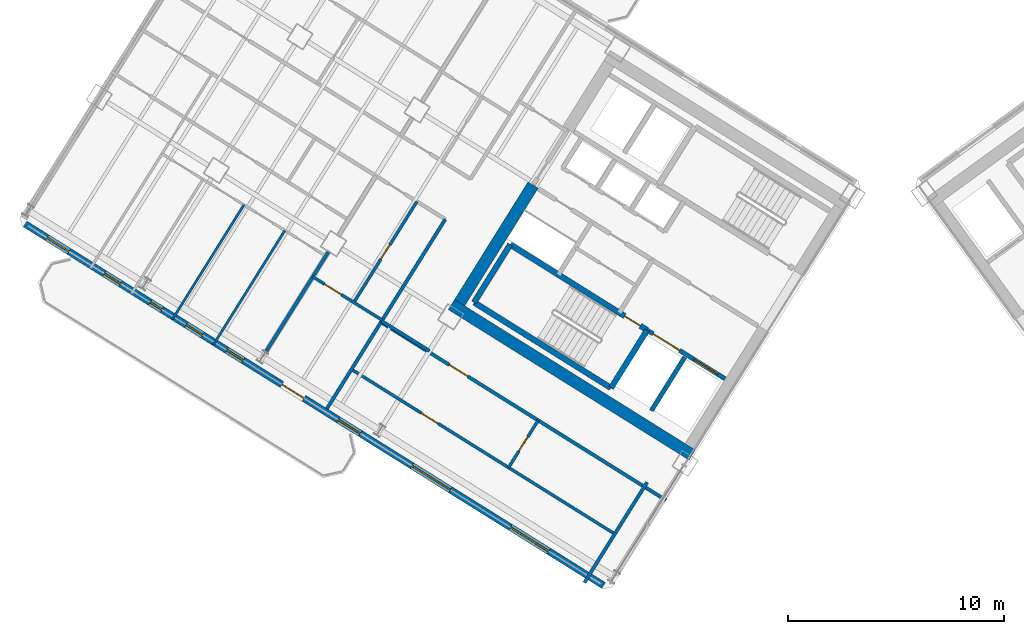
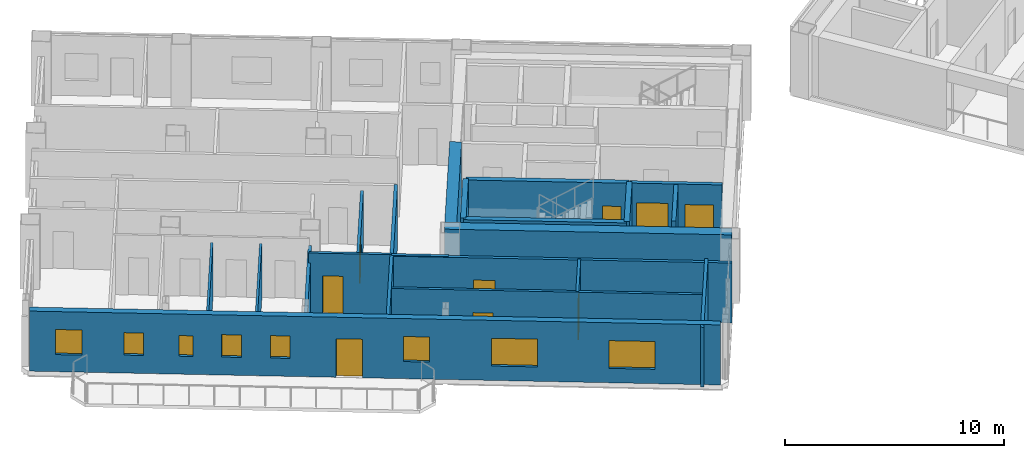
# One storey, part 10 of 19: 20 walls, 9 doors, 8 windows, 17 openings.
"""IFC4 building model written with IfcOpenShell, lengths in metres."""

from ifc_helpers import new_model, si_unit, direction, frame, frame_2d, origin, place, context, subcontext, project, spatial, rectangle, extrude, source, transform, mapped, material, layer, layer_set, type_object, element, fill, save


model = new_model("IFC4")

# Units and contexts
model_context = context("Model", 3, precision=1e-05, world=origin(), true_north=direction((0.0, 1.0)))
body_context = subcontext(model_context, "Body", "Model", "MODEL_VIEW")
ifc_project = project(units=[si_unit("LENGTHUNIT", "METRE"), si_unit("AREAUNIT", "SQUARE_METRE"), si_unit("VOLUMEUNIT", "CUBIC_METRE"), si_unit("PLANEANGLEUNIT", "RADIAN"), si_unit("MASSUNIT", "GRAM", prefix="KILO")], contexts=[model_context])

# Site, building, storey
site_placement = place(None, origin())
site = spatial("IfcSite", under=ifc_project, at=site_placement, CompositionType="ELEMENT")
building_placement = place(site_placement, origin())
building = spatial("IfcBuilding", under=site, at=building_placement, Name="Tlacorven Tower", CompositionType="ELEMENT")
storey_placement = place(building_placement, frame((0.0, 0.0, 144.300048828125)))
storey = spatial("IfcBuildingStorey", under=building, at=storey_placement, Name="L36", CompositionType="ELEMENT", Elevation=144.300048828125)

# Walls
ifc_material_1 = material(Name="Concrete C60/75", Category="concrete")
ifc_layer_1 = layer(ifc_material_1, 0.550048828125)
ifc_layer_set_1 = layer_set([ifc_layer_1], Name="Concrete C60/75")
wall_type_1 = type_object("IfcWallType", Name="WL-COR-550", PredefinedType="SHEAR", material=ifc_layer_set_1)
wall_1_placement = place(storey_placement, frame((33.3662109375, 12.4765625, 0.0), z_axis=(0.0, 0.0, 1.0), x_axis=(-0.848047359947, 0.529920442413, 0.0)))
element("IfcWall", 1, at=wall_1_placement, inside=storey, type_object=wall_type_1, Name="L36 W core shear wall S2", PredefinedType="SHEAR", context=body_context, shape_type="SweptSolid", body=[
    extrude(rectangle(XDim=13.139892578125, YDim=0.550048828125, at=frame_2d((6.56982421875, 0.0))), origin(), (0.0, 0.0, 1.0), 3.349853515625),
])
wall_2_placement = place(storey_placement, frame((26.006591796875, 24.975830078125, 0.0), z_axis=(0.0, 0.0, 1.0), x_axis=(-0.529923795287, -0.848045264823, 0.0)))
element("IfcWall", 2, at=wall_2_placement, inside=storey, type_object=wall_type_1, Name="L36 W core end wall E2.2", PredefinedType="SHEAR", context=body_context, shape_type="SweptSolid", body=[
    extrude(rectangle(XDim=6.425048828125, YDim=0.550048828125, at=frame_2d((3.21240234375, 0.0))), origin(), (0.0, 0.0, 1.0), 3.349853515625),
])
ifc_material_2 = material(Name="Gypsum plasterboard acoustic partition", Category="gypsum")
ifc_layer_2 = layer(ifc_material_2, 0.159912109375)
ifc_layer_set_2 = layer_set([ifc_layer_2], Name="Gypsum plasterboard acoustic partition")
wall_type_2 = type_object("IfcWallType", Name="WL-DEM-160", PredefinedType="PARTITIONING", material=ifc_layer_set_2)
wall_3_placement = place(storey_placement, frame((21.20556640625, 17.29248046875, 0.0), z_axis=(0.0, 0.0, 1.0), x_axis=(-0.848050851465, 0.529914854792, 0.0)))
element("IfcWall", 3, at=wall_3_placement, inside=storey, type_object=wall_type_2, Name="L36 partition 47", PredefinedType="PARTITIONING", context=body_context, shape_type="SweptSolid", body=[
    extrude(rectangle(XDim=2.60986328125, YDim=0.159912109375, at=frame_2d((1.304931640625, 0.0))), origin(), (0.0, 0.0, 1.0), 3.33984375),
])
wall_4_placement = place(storey_placement, frame((21.9384765625, 23.390625, 0.0), z_axis=(0.0, 0.0, 1.0), x_axis=(-0.529924725692, -0.848044683434, 0.0)))
element("IfcWall", 4, at=wall_4_placement, inside=storey, type_object=wall_type_2, Name="L36 partition 49", PredefinedType="PARTITIONING", context=body_context, shape_type="SweptSolid", body=[
    extrude(rectangle(XDim=10.349853515625, YDim=0.159912109375, at=frame_2d((5.1748046875, 0.0))), origin(), (0.0, 0.0, 1.0), 3.33984375),
])
wall_5_placement = place(storey_placement, frame((16.518798828125, 21.86962890625, 0.0), z_axis=(0.0, 0.0, 1.0), x_axis=(-0.529922447305, -0.848046107144, 0.0)))
element("IfcWall", 5, at=wall_5_placement, inside=storey, type_object=wall_type_2, Name="L36 WN Demising Wall 1", PredefinedType="PARTITIONING", context=body_context, shape_type="SweptSolid", body=[
    extrude(rectangle(XDim=5.451171875, YDim=0.159912109375, at=frame_2d((2.7255859375, 0.0))), origin(), (0.0, 0.0, 1.0), 2.77490234375),
])

# Wall, opening, door
wall_6_placement = place(storey_placement, frame((32.164306640625, 10.373779296875, 0.0), z_axis=(0.0, 0.0, 1.0), x_axis=(-0.848044107957, 0.529925646633, 0.0)))
wall_6 = element("IfcWall", 6, at=wall_6_placement, inside=storey, type_object=wall_type_2, Name="L36 partition 71", PredefinedType="PARTITIONING", context=body_context, shape_type="SweptSolid", body=[
    extrude(rectangle(XDim=15.570068359375, YDim=0.159912109375, at=frame_2d((7.78515625, 0.0))), origin(), (0.0, 0.0, 1.0), 3.33984375),
])
opening_1_placement = place(wall_6_placement, frame((10.830078125, 0.0, 0.0)))
opening_1 = element("IfcOpeningElement", 7, at=opening_1_placement, cuts=wall_6, Name="Opening D11", PredefinedType="OPENING", context=body_context, shape_type="SweptSolid", body=[
    extrude(rectangle(XDim=1.0, YDim=2.10009765625, at=frame_2d((0.5, 1.050048828125))), frame((0.0, 0.08984375, 0.0), z_axis=(0.0, -1.0, 0.0), x_axis=(1.0, 0.0, 0.0)), (0.0, 0.0, 1.0), 0.179931640625),
])
ifc_material_3 = material(Name="Fire-rated steel door assembly", Category="steel")
door_type_1 = type_object("IfcDoorType", Name="DR-FLT-FD60-1000", OperationType="NOTDEFINED", PredefinedType="DOOR", material=ifc_material_3)
shared_shape_1 = source(origin(), body_context, "Body", "SweptSolid", [
    extrude(rectangle(XDim=1.0, YDim=2.10009765625, at=frame_2d((0.5, 1.050048828125))), frame((0.0, 0.02490234375, 0.0), z_axis=(0.0, -1.0, 0.0), x_axis=(1.0, 0.0, 0.0)), (0.0, 0.0, 1.0), 0.050048828125),
])
door_1_placement = place(opening_1_placement, origin())
door_1 = element("IfcDoor", 8, at=door_1_placement, inside=storey, type_object=door_type_1, Name="L36 door 045", OperationType="SINGLE_SWING_RIGHT", OverallHeight=2.10009765625, OverallWidth=1.0, PredefinedType="DOOR", context=body_context, shape_type="MappedRepresentation", body=[
    mapped(shared_shape_1, transform((0.0, 0.0, 0.0), scale=1.0)),
])
fill(opening_1, door_1)

# Wall
wall_7_placement = place(storey_placement, frame((31.282470703125, 11.2080078125, 0.0), z_axis=(0.0, 0.0, 1.0), x_axis=(-0.529938869374, -0.84803584519, 0.0)))
element("IfcWall", 9, at=wall_7_placement, inside=storey, type_object=wall_type_2, Name="L36 WC West Throat Wall", PredefinedType="PARTITIONING", context=body_context, shape_type="SweptSolid", body=[
    extrude(rectangle(XDim=5.47998046875, YDim=0.159912109375, at=frame_2d((2.739990234375, 0.0))), origin(), (0.0, 0.0, 1.0), 3.33984375),
])

# Wall, openings, door, windows
ifc_material_4 = material(Name="Precast concrete C45/55", Category="concrete")
ifc_layer_3 = layer(ifc_material_4, 0.320068359375)
ifc_layer_set_3 = layer_set([ifc_layer_3], Name="Precast concrete C45/55")
wall_type_3 = type_object("IfcWallType", Name="WL-EXT-320", PredefinedType="STANDARD", material=ifc_layer_set_3)
wall_8_placement = place(storey_placement, frame((29.267822265625, 6.429443359375, 0.0), z_axis=(0.0, 0.0, 1.0), x_axis=(-0.848049971435, 0.529916263149, 0.0)))
wall_8 = element("IfcWall", 10, at=wall_8_placement, inside=storey, type_object=wall_type_3, Name="L36 Masonry-Frame Recessed Facade Wall 1", PredefinedType="STANDARD", context=body_context, shape_type="SweptSolid", body=[
    extrude(rectangle(XDim=31.587646484375, YDim=0.320068359375, at=frame_2d((15.7939453125, 0.0))), origin(), (0.0, 0.0, 1.0), 3.349853515625),
])
opening_2_placement = place(wall_8_placement, frame((16.36181640625, 0.0, 0.0)))
opening_2 = element("IfcOpeningElement", 11, at=opening_2_placement, cuts=wall_8, Name="Opening D05", PredefinedType="OPENING", context=body_context, shape_type="SweptSolid", body=[
    extrude(rectangle(XDim=1.199951171875, YDim=2.14990234375, at=frame_2d((0.60009765625, 1.074951171875))), frame((0.0, 0.169921875, 0.0), z_axis=(0.0, -1.0, 0.0), x_axis=(1.0, 0.0, 0.0)), (0.0, 0.0, 1.0), 0.340087890625),
])
opening_3_placement = place(wall_8_placement, frame((2.98876953125, 0.0, 0.800048828125)))
opening_3 = element("IfcOpeningElement", 12, at=opening_3_placement, cuts=wall_8, Name="Opening WN04", PredefinedType="OPENING", context=body_context, shape_type="SweptSolid", body=[
    extrude(rectangle(XDim=2.10009765625, YDim=1.550048828125, at=frame_2d((1.050048828125, 0.77490234375))), frame((0.0, 0.169921875, 0.0), z_axis=(0.0, -1.0, 0.0), x_axis=(1.0, 0.0, 0.0)), (0.0, 0.0, 1.0), 0.340087890625),
])
opening_4_placement = place(wall_8_placement, frame((8.358642578125, 0.0, 0.800048828125)))
opening_4 = element("IfcOpeningElement", 13, at=opening_4_placement, cuts=wall_8, Name="Opening WN04", PredefinedType="OPENING", context=body_context, shape_type="SweptSolid", body=[
    extrude(rectangle(XDim=2.10009765625, YDim=1.550048828125, at=frame_2d((1.050048828125, 0.77490234375))), frame((0.0, 0.169921875, 0.0), z_axis=(0.0, -1.0, 0.0), x_axis=(1.0, 0.0, 0.0)), (0.0, 0.0, 1.0), 0.340087890625),
])
opening_5_placement = place(wall_8_placement, frame((13.28369140625, 0.0, 0.949951171875)))
opening_5 = element("IfcOpeningElement", 14, at=opening_5_placement, cuts=wall_8, Name="Opening WN03", PredefinedType="OPENING", context=body_context, shape_type="SweptSolid", body=[
    extrude(rectangle(XDim=1.199951171875, YDim=1.39990234375, at=frame_2d((0.60009765625, 0.699951171875))), frame((0.0, 0.169921875, 0.0), z_axis=(0.0, -1.0, 0.0), x_axis=(1.0, 0.0, 0.0)), (0.0, 0.0, 1.0), 0.340087890625),
])
opening_6_placement = place(wall_8_placement, frame((29.18798828125, 0.0, 0.949951171875)))
opening_6 = element("IfcOpeningElement", 15, at=opening_6_placement, cuts=wall_8, Name="Opening WN03", PredefinedType="OPENING", context=body_context, shape_type="SweptSolid", body=[
    extrude(rectangle(XDim=1.199951171875, YDim=1.39990234375, at=frame_2d((0.60009765625, 0.699951171875))), frame((0.0, 0.169921875, 0.0), z_axis=(0.0, -1.0, 0.0), x_axis=(1.0, 0.0, 0.0)), (0.0, 0.0, 1.0), 0.340087890625),
])
opening_7_placement = place(wall_8_placement, frame((19.673583984375, 0.0, 1.0)))
opening_7 = element("IfcOpeningElement", 16, at=opening_7_placement, cuts=wall_8, Name="Opening WN05", PredefinedType="OPENING", context=body_context, shape_type="SweptSolid", body=[
    extrude(rectangle(XDim=0.89990234375, YDim=1.25, at=frame_2d((0.449951171875, 0.625))), frame((0.0, 0.169921875, 0.0), z_axis=(0.0, -1.0, 0.0), x_axis=(1.0, 0.0, 0.0)), (0.0, 0.0, 1.0), 0.340087890625),
])
opening_8_placement = place(wall_8_placement, frame((21.896240234375, 0.0, 1.0)))
opening_8 = element("IfcOpeningElement", 17, at=opening_8_placement, cuts=wall_8, Name="Opening WN05", PredefinedType="OPENING", context=body_context, shape_type="SweptSolid", body=[
    extrude(rectangle(XDim=0.89990234375, YDim=1.25, at=frame_2d((0.449951171875, 0.625))), frame((0.0, 0.169921875, 0.0), z_axis=(0.0, -1.0, 0.0), x_axis=(1.0, 0.0, 0.0)), (0.0, 0.0, 1.0), 0.340087890625),
])
opening_9_placement = place(wall_8_placement, frame((24.106201171875, 0.0, 1.0)))
opening_9 = element("IfcOpeningElement", 18, at=opening_9_placement, cuts=wall_8, Name="Opening WN21", PredefinedType="OPENING", context=body_context, shape_type="SweptSolid", body=[
    extrude(rectangle(XDim=0.64990234375, YDim=1.14990234375, at=frame_2d((0.324951171875, 0.574951171875))), frame((0.0, 0.169921875, 0.0), z_axis=(0.0, -1.0, 0.0), x_axis=(1.0, 0.0, 0.0)), (0.0, 0.0, 1.0), 0.340087890625),
])
opening_10_placement = place(wall_8_placement, frame((26.3662109375, 0.0, 1.0)))
opening_10 = element("IfcOpeningElement", 19, at=opening_10_placement, cuts=wall_8, Name="Opening WN05", PredefinedType="OPENING", context=body_context, shape_type="SweptSolid", body=[
    extrude(rectangle(XDim=0.89990234375, YDim=1.25, at=frame_2d((0.449951171875, 0.625))), frame((0.0, 0.169921875, 0.0), z_axis=(0.0, -1.0, 0.0), x_axis=(1.0, 0.0, 0.0)), (0.0, 0.0, 1.0), 0.340087890625),
])
ifc_material_5 = material(Name="Powder-coated aluminium and timber door", Category="wood")
door_type_2 = type_object("IfcDoorType", Name="DR-EXT-BALC-1200", OperationType="NOTDEFINED", PredefinedType="DOOR", material=ifc_material_5)
shared_shape_2 = source(origin(), body_context, "Body", "SweptSolid", [
    extrude(rectangle(XDim=1.199951171875, YDim=2.14990234375, at=frame_2d((0.60009765625, 1.074951171875))), frame((0.0, 0.02490234375, 0.0), z_axis=(0.0, -1.0, 0.0), x_axis=(1.0, 0.0, 0.0)), (0.0, 0.0, 1.0), 0.050048828125),
])
door_2_placement = place(opening_2_placement, origin())
door_2 = element("IfcDoor", 20, at=door_2_placement, inside=storey, type_object=door_type_2, Name="L36 Outdoor Access Door BAL-L36-W-OUT", OperationType="SINGLE_SWING_LEFT", OverallHeight=2.14990234375, OverallWidth=1.199951171875, PredefinedType="DOOR", context=body_context, shape_type="MappedRepresentation", body=[
    mapped(shared_shape_2, transform((0.0, 0.0, 0.0), scale=1.0)),
])
fill(opening_2, door_2)
ifc_material_6 = material(Name="Dark solar low-E double glazing in anodised aluminium frame", Category="aluminium")
window_type_1 = type_object("IfcWindowType", Name="WN-APT-2100X1750", PartitioningType="SINGLE_PANEL", PredefinedType="WINDOW", material=ifc_material_6)
shared_shape_3 = source(origin(), body_context, "Body", "SweptSolid", [
    extrude(rectangle(XDim=2.10009765625, YDim=1.550048828125, at=frame_2d((1.050048828125, 0.77490234375))), frame((0.0, 0.030029296875, 0.0), z_axis=(0.0, -1.0, 0.0), x_axis=(1.0, 0.0, 0.0)), (0.0, 0.0, 1.0), 0.06005859375),
])
window_1_placement = place(opening_3_placement, origin())
window_1 = element("IfcWindow", 21, at=window_1_placement, inside=storey, type_object=window_type_1, Name="L36 Recessed Masonry-Frame Window L36-01.1", OverallHeight=1.550048828125, OverallWidth=2.10009765625, PartitioningType="SINGLE_PANEL", PredefinedType="WINDOW", context=body_context, shape_type="MappedRepresentation", body=[
    mapped(shared_shape_3, transform((0.0, 0.0, 0.0), scale=1.0)),
])
fill(opening_3, window_1)
window_2_placement = place(opening_4_placement, origin())
window_2 = element("IfcWindow", 22, at=window_2_placement, inside=storey, type_object=window_type_1, Name="L36 Recessed Masonry-Frame Window L36-01.2", OverallHeight=1.550048828125, OverallWidth=2.10009765625, PartitioningType="SINGLE_PANEL", PredefinedType="WINDOW", context=body_context, shape_type="MappedRepresentation", body=[
    mapped(shared_shape_3, transform((0.0, 0.0, 0.0), scale=1.0)),
])
fill(opening_4, window_2)
window_type_2 = type_object("IfcWindowType", Name="WN-APT-1200X1500", PartitioningType="SINGLE_PANEL", PredefinedType="WINDOW", material=ifc_material_6)
shared_shape_4 = source(origin(), body_context, "Body", "SweptSolid", [
    extrude(rectangle(XDim=1.199951171875, YDim=1.39990234375, at=frame_2d((0.60009765625, 0.699951171875))), frame((0.0, 0.030029296875, 0.0), z_axis=(0.0, -1.0, 0.0), x_axis=(1.0, 0.0, 0.0)), (0.0, 0.0, 1.0), 0.06005859375),
])
window_3_placement = place(opening_5_placement, origin())
window_3 = element("IfcWindow", 23, at=window_3_placement, inside=storey, type_object=window_type_2, Name="L36 Recessed Masonry-Frame Window L36-01.3", OverallHeight=1.39990234375, OverallWidth=1.199951171875, PartitioningType="SINGLE_PANEL", PredefinedType="WINDOW", context=body_context, shape_type="MappedRepresentation", body=[
    mapped(shared_shape_4, transform((0.0, 0.0, 0.0), scale=1.0)),
])
fill(opening_5, window_3)
window_4_placement = place(opening_6_placement, origin())
window_4 = element("IfcWindow", 24, at=window_4_placement, inside=storey, type_object=window_type_2, Name="L36 Recessed Masonry-Frame Window L36-01.4", OverallHeight=1.39990234375, OverallWidth=1.199951171875, PartitioningType="SINGLE_PANEL", PredefinedType="WINDOW", context=body_context, shape_type="MappedRepresentation", body=[
    mapped(shared_shape_4, transform((0.0, 0.0, 0.0), scale=1.0)),
])
fill(opening_6, window_4)
window_type_3 = type_object("IfcWindowType", Name="WN-APT-0900X1350", PartitioningType="SINGLE_PANEL", PredefinedType="WINDOW", material=ifc_material_6)
shared_shape_5 = source(origin(), body_context, "Body", "SweptSolid", [
    extrude(rectangle(XDim=0.89990234375, YDim=1.25, at=frame_2d((0.449951171875, 0.625))), frame((0.0, 0.030029296875, 0.0), z_axis=(0.0, -1.0, 0.0), x_axis=(1.0, 0.0, 0.0)), (0.0, 0.0, 1.0), 0.06005859375),
])
window_5_placement = place(opening_7_placement, origin())
window_5 = element("IfcWindow", 25, at=window_5_placement, inside=storey, type_object=window_type_3, Name="L36 Dwelling Daylight Window L36-U02-BD1", OverallHeight=1.25, OverallWidth=0.89990234375, PartitioningType="SINGLE_PANEL", PredefinedType="WINDOW", context=body_context, shape_type="MappedRepresentation", body=[
    mapped(shared_shape_5, transform((0.0, 0.0, 0.0), scale=1.0)),
])
fill(opening_7, window_5)
window_6_placement = place(opening_8_placement, origin())
window_6 = element("IfcWindow", 26, at=window_6_placement, inside=storey, type_object=window_type_3, Name="L36 Dwelling Daylight Window L36-U02-BD2", OverallHeight=1.25, OverallWidth=0.89990234375, PartitioningType="SINGLE_PANEL", PredefinedType="WINDOW", context=body_context, shape_type="MappedRepresentation", body=[
    mapped(shared_shape_5, transform((0.0, 0.0, 0.0), scale=1.0)),
])
fill(opening_8, window_6)
window_7_placement = place(opening_10_placement, origin())
window_7 = element("IfcWindow", 27, at=window_7_placement, inside=storey, type_object=window_type_3, Name="L36 Dwelling Daylight Window L36-U02-BD4", OverallHeight=1.25, OverallWidth=0.89990234375, PartitioningType="SINGLE_PANEL", PredefinedType="WINDOW", context=body_context, shape_type="MappedRepresentation", body=[
    mapped(shared_shape_5, transform((0.0, 0.0, 0.0), scale=1.0)),
])
fill(opening_10, window_7)
window_type_4 = type_object("IfcWindowType", Name="WN-APT-0650X1150", PartitioningType="SINGLE_PANEL", PredefinedType="WINDOW", material=ifc_material_6)
shared_shape_6 = source(origin(), body_context, "Body", "SweptSolid", [
    extrude(rectangle(XDim=0.64990234375, YDim=1.14990234375, at=frame_2d((0.324951171875, 0.574951171875))), frame((0.0, 0.030029296875, 0.0), z_axis=(0.0, -1.0, 0.0), x_axis=(1.0, 0.0, 0.0)), (0.0, 0.0, 1.0), 0.06005859375),
])
window_8_placement = place(opening_9_placement, origin())
window_8 = element("IfcWindow", 28, at=window_8_placement, inside=storey, type_object=window_type_4, Name="L36 Dwelling Daylight Window L36-U02-BD3", OverallHeight=1.14990234375, OverallWidth=0.64990234375, PartitioningType="SINGLE_PANEL", PredefinedType="WINDOW", context=body_context, shape_type="MappedRepresentation", body=[
    mapped(shared_shape_6, transform((0.0, 0.0, 0.0), scale=1.0)),
])
fill(opening_9, window_8)

# Walls
ifc_material_7 = material(Name="Gypsum plasterboard partition", Category="gypsum")
ifc_layer_4 = layer(ifc_material_7, 0.110107421875)
ifc_layer_set_4 = layer_set([ifc_layer_4], Name="Gypsum plasterboard partition")
wall_type_4 = type_object("IfcWallType", Name="WL-INT-110", PredefinedType="PARTITIONING", material=ifc_layer_set_4)
for number, where, z_axis, x_axis, name in (
    (29, (14.5078125, 22.869140625, 0.0), (0.0, 0.0, 1.0), (-0.529900466106, -0.848059842241, 0.0), "L36 partition 62"),
    (30, (12.612548828125, 24.053466796875, 0.0), (0.0, 0.0, 1.0), (-0.529900466106, -0.848059842241, 0.0), "L36 partition 63"),
):
    element("IfcWall", number, at=place(storey_placement, frame(where, z_axis=z_axis, x_axis=x_axis)), inside=storey, type_object=wall_type_4, Name=name, PredefinedType="PARTITIONING", context=body_context, shape_type="SweptSolid", body=[
        extrude(rectangle(XDim=6.240234375, YDim=0.110107421875, at=frame_2d((3.1201171875, 0.0))), origin(), (0.0, 0.0, 1.0), 2.994873046875),
    ])

# Wall, opening, door
ifc_material_8 = material(Name="Moisture-resistant gypsum plumbing wall", Category="gypsum")
ifc_layer_5 = layer(ifc_material_8, 0.139892578125)
ifc_layer_set_5 = layer_set([ifc_layer_5], Name="Moisture-resistant gypsum plumbing wall")
wall_type_5 = type_object("IfcWallType", Name="WL-PLM-140", PredefinedType="PLUMBINGWALL", material=ifc_layer_set_5)
wall_9_placement = place(storey_placement, frame((19.0185546875, 18.718017578125, 0.0), z_axis=(0.0, 0.0, 1.0), x_axis=(-0.848059820872, 0.529900500304, 0.0)))
wall_9 = element("IfcWall", 31, at=wall_9_placement, inside=storey, type_object=wall_type_5, Name="L36 partition 54", PredefinedType="PLUMBINGWALL", context=body_context, shape_type="SweptSolid", body=[
    extrude(rectangle(XDim=3.7900390625, YDim=0.139892578125, at=frame_2d((1.89501953125, 0.0))), origin(), (0.0, 0.0, 1.0), 3.33984375),
])
opening_11_placement = place(wall_9_placement, frame((2.22998046875, 0.0, 0.0)))
opening_11 = element("IfcOpeningElement", 32, at=opening_11_placement, cuts=wall_9, Name="Opening D12", PredefinedType="OPENING", context=body_context, shape_type="SweptSolid", body=[
    extrude(rectangle(XDim=0.919921875, YDim=2.080078125, at=frame_2d((0.4599609375, 1.0400390625))), frame((0.0, 0.080078125, 0.0), z_axis=(0.0, -1.0, 0.0), x_axis=(1.0, 0.0, 0.0)), (0.0, 0.0, 1.0), 0.159912109375),
])
door_type_3 = type_object("IfcDoorType", Name="DR-INT-ROOM-0920", OperationType="NOTDEFINED", PredefinedType="DOOR", material=ifc_material_5)
shared_shape_7 = source(origin(), body_context, "Body", "SweptSolid", [
    extrude(rectangle(XDim=0.919921875, YDim=2.080078125, at=frame_2d((0.4599609375, 1.0400390625))), frame((0.0, 0.02490234375, 0.0), z_axis=(0.0, -1.0, 0.0), x_axis=(1.0, 0.0, 0.0)), (0.0, 0.0, 1.0), 0.050048828125),
])
door_3_placement = place(opening_11_placement, origin())
door_3 = element("IfcDoor", 33, at=door_3_placement, inside=storey, type_object=door_type_3, Name="L36 door 026", OperationType="SINGLE_SWING_LEFT", OverallHeight=2.080078125, OverallWidth=0.919921875, PredefinedType="DOOR", context=body_context, shape_type="MappedRepresentation", body=[
    mapped(shared_shape_7, transform((0.0, 0.0, 0.0), scale=1.0)),
])
fill(opening_11, door_3)

wall_10_placement = place(storey_placement, frame((20.6240234375, 24.212158203125, 0.0), z_axis=(0.0, 0.0, 1.0), x_axis=(-0.529919283494, -0.848048084121, 0.0)))
wall_10 = element("IfcWall", 34, at=wall_10_placement, inside=storey, type_object=wall_type_5, Name="L36 partition 55", PredefinedType="PLUMBINGWALL", context=body_context, shape_type="SweptSolid", body=[
    extrude(rectangle(XDim=5.510009765625, YDim=0.139892578125, at=frame_2d((2.7548828125, 0.0))), origin(), (0.0, 0.0, 1.0), 2.994873046875),
])
opening_12_placement = place(wall_10_placement, frame((2.364990234375, 0.0, 0.0)))
opening_12 = element("IfcOpeningElement", 35, at=opening_12_placement, cuts=wall_10, Name="Opening D22", PredefinedType="OPENING", context=body_context, shape_type="SweptSolid", body=[
    extrude(rectangle(XDim=0.780029296875, YDim=2.050048828125, at=frame_2d((0.39013671875, 1.02490234375))), frame((0.0, 0.080078125, 0.0), z_axis=(0.0, -1.0, 0.0), x_axis=(1.0, 0.0, 0.0)), (0.0, 0.0, 1.0), 0.159912109375),
])
door_type_4 = type_object("IfcDoorType", Name="DR-INT-WET-0780", OperationType="NOTDEFINED", PredefinedType="DOOR", material=ifc_material_5)
shared_shape_8 = source(origin(), body_context, "Body", "SweptSolid", [
    extrude(rectangle(XDim=0.780029296875, YDim=2.050048828125, at=frame_2d((0.39013671875, 1.02490234375))), frame((0.0, 0.02490234375, 0.0), z_axis=(0.0, -1.0, 0.0), x_axis=(1.0, 0.0, 0.0)), (0.0, 0.0, 1.0), 0.050048828125),
])
door_4_placement = place(opening_12_placement, origin())
door_4 = element("IfcDoor", 36, at=door_4_placement, inside=storey, type_object=door_type_4, Name="L36 door 027", OperationType="SINGLE_SWING_RIGHT", OverallHeight=2.050048828125, OverallWidth=0.780029296875, PredefinedType="DOOR", context=body_context, shape_type="MappedRepresentation", body=[
    mapped(shared_shape_8, transform((0.0, 0.0, 0.0), scale=1.0)),
])
fill(opening_12, door_4)

wall_11_placement = place(storey_placement, frame((29.72021484375, 8.85888671875, 0.0), z_axis=(0.0, 0.0, 1.0), x_axis=(-0.848049134363, 0.529917602752, 0.0)))
wall_11 = element("IfcWall", 37, at=wall_11_placement, inside=storey, type_object=wall_type_5, Name="L36 partition 73", PredefinedType="PLUMBINGWALL", context=body_context, shape_type="SweptSolid", body=[
    extrude(rectangle(XDim=14.300048828125, YDim=0.139892578125, at=frame_2d((7.14990234375, 0.0))), origin(), (0.0, 0.0, 1.0), 3.33984375),
])
opening_13_placement = place(wall_11_placement, frame((9.570068359375, 0.0, 0.0)))
opening_13 = element("IfcOpeningElement", 38, at=opening_13_placement, cuts=wall_11, Name="Opening D12", PredefinedType="OPENING", context=body_context, shape_type="SweptSolid", body=[
    extrude(rectangle(XDim=0.919921875, YDim=2.080078125, at=frame_2d((0.4599609375, 1.0400390625))), frame((0.0, 0.080078125, 0.0), z_axis=(0.0, -1.0, 0.0), x_axis=(1.0, 0.0, 0.0)), (0.0, 0.0, 1.0), 0.159912109375),
])
door_5_placement = place(opening_13_placement, origin())
door_5 = element("IfcDoor", 39, at=door_5_placement, inside=storey, type_object=door_type_3, Name="L36 door 046", OperationType="SINGLE_SWING_LEFT", OverallHeight=2.080078125, OverallWidth=0.919921875, PredefinedType="DOOR", context=body_context, shape_type="MappedRepresentation", body=[
    mapped(shared_shape_7, transform((0.0, 0.0, 0.0), scale=1.0)),
])
fill(opening_13, door_5)

wall_12_placement = place(storey_placement, frame((26.236572265625, 14.077880859375, 0.0), z_axis=(0.0, 0.0, 1.0), x_axis=(-0.52995640672, -0.848024885824, 0.0)))
wall_12 = element("IfcWall", 40, at=wall_12_placement, inside=storey, type_object=wall_type_5, Name="L36 partition 74", PredefinedType="PLUMBINGWALL", context=body_context, shape_type="SweptSolid", body=[
    extrude(rectangle(XDim=2.579833984375, YDim=0.139892578125, at=frame_2d((1.2900390625, 0.0))), origin(), (0.0, 0.0, 1.0), 3.33984375),
])
opening_14_placement = place(wall_12_placement, frame((0.89990234375, 0.0, 0.0)))
opening_14 = element("IfcOpeningElement", 41, at=opening_14_placement, cuts=wall_12, Name="Opening D22", PredefinedType="OPENING", context=body_context, shape_type="SweptSolid", body=[
    extrude(rectangle(XDim=0.780029296875, YDim=2.050048828125, at=frame_2d((0.39013671875, 1.02490234375))), frame((0.0, 0.080078125, 0.0), z_axis=(0.0, -1.0, 0.0), x_axis=(1.0, 0.0, 0.0)), (0.0, 0.0, 1.0), 0.159912109375),
])
door_6_placement = place(opening_14_placement, origin())
door_6 = element("IfcDoor", 42, at=door_6_placement, inside=storey, type_object=door_type_4, Name="L36 door 047", OperationType="SINGLE_SWING_RIGHT", OverallHeight=2.050048828125, OverallWidth=0.780029296875, PredefinedType="DOOR", context=body_context, shape_type="MappedRepresentation", body=[
    mapped(shared_shape_8, transform((0.0, 0.0, 0.0), scale=1.0)),
])
fill(opening_14, door_6)

# Wall, openings, doors
ifc_material_9 = material(Name="Concrete C40/50", Category="concrete")
ifc_layer_6 = layer(ifc_material_9, 0.199951171875)
ifc_layer_set_6 = layer_set([ifc_layer_6], Name="Concrete C40/50")
wall_type_6 = type_object("IfcWallType", Name="WL-SHF-200", PredefinedType="STANDARD", material=ifc_layer_set_6)
wall_13_placement = place(storey_placement, frame((34.890625, 16.0048828125, 0.0), z_axis=(0.0, 0.0, 1.0), x_axis=(-0.848062873452, 0.529895614884, 0.0)))
wall_13 = element("IfcWall", 43, at=wall_13_placement, inside=storey, type_object=wall_type_6, Name="L36 Core W Firefighting Lift Shaft Front Wall", PredefinedType="STANDARD", context=body_context, shape_type="SweptSolid", body=[
    extrude(rectangle(XDim=4.248046875, YDim=0.199951171875, at=frame_2d((2.1240234375, 0.0))), origin(), (0.0, 0.0, 1.0), 3.33984375),
])
opening_15_placement = place(wall_13_placement, frame((0.39794921875, 0.0, 0.0)))
opening_15 = element("IfcOpeningElement", 44, at=opening_15_placement, cuts=wall_13, Name="Opening LD03", PredefinedType="OPENING", context=body_context, shape_type="SweptSolid", body=[
    extrude(rectangle(XDim=1.300048828125, YDim=2.199951171875, at=frame_2d((0.64990234375, 1.10009765625))), frame((0.0, 0.10986328125, 0.0), z_axis=(0.0, -1.0, 0.0), x_axis=(1.0, 0.0, 0.0)), (0.0, 0.0, 1.0), 0.219970703125),
])
opening_16_placement = place(wall_13_placement, frame((2.472900390625, 0.0, 0.0)))
opening_16 = element("IfcOpeningElement", 45, at=opening_16_placement, cuts=wall_13, Name="Opening LD04", PredefinedType="OPENING", context=body_context, shape_type="SweptSolid", body=[
    extrude(rectangle(XDim=1.449951171875, YDim=2.25, at=frame_2d((0.72509765625, 1.125))), frame((0.0, 0.10986328125, 0.0), z_axis=(0.0, -1.0, 0.0), x_axis=(1.0, 0.0, 0.0)), (0.0, 0.0, 1.0), 0.219970703125),
])
door_type_5 = type_object("IfcDoorType", Name="DR-LFT-SLID-1300", OperationType="DOUBLE_DOOR_SLIDING", PredefinedType="DOOR", material=ifc_material_3)
shared_shape_9 = source(origin(), body_context, "Body", "SweptSolid", [
    extrude(rectangle(XDim=1.300048828125, YDim=2.199951171875, at=frame_2d((0.64990234375, 1.10009765625))), frame((0.0, 0.02490234375, 0.0), z_axis=(0.0, -1.0, 0.0), x_axis=(1.0, 0.0, 0.0)), (0.0, 0.0, 1.0), 0.050048828125),
])
door_7_placement = place(opening_15_placement, origin())
door_7 = element("IfcDoor", 46, at=door_7_placement, inside=storey, type_object=door_type_5, Name="L36 Lift FFL-W1 Sliding Landing Door", OperationType="DOUBLE_DOOR_SLIDING", OverallHeight=2.199951171875, OverallWidth=1.300048828125, PredefinedType="DOOR", context=body_context, shape_type="MappedRepresentation", body=[
    mapped(shared_shape_9, transform((0.0, 0.0, 0.0), scale=1.0)),
])
fill(opening_15, door_7)
door_type_6 = type_object("IfcDoorType", Name="DR-LFT-SLID-1450", OperationType="DOUBLE_DOOR_SLIDING", PredefinedType="DOOR", material=ifc_material_3)
shared_shape_10 = source(origin(), body_context, "Body", "SweptSolid", [
    extrude(rectangle(XDim=1.449951171875, YDim=2.25, at=frame_2d((0.72509765625, 1.125))), frame((0.0, 0.02490234375, 0.0), z_axis=(0.0, -1.0, 0.0), x_axis=(1.0, 0.0, 0.0)), (0.0, 0.0, 1.0), 0.050048828125),
])
door_8_placement = place(opening_16_placement, origin())
door_8 = element("IfcDoor", 47, at=door_8_placement, inside=storey, type_object=door_type_6, Name="L36 Lift SVL-W1 Sliding Landing Door", OperationType="DOUBLE_DOOR_SLIDING", OverallHeight=2.25, OverallWidth=1.449951171875, PredefinedType="DOOR", context=body_context, shape_type="MappedRepresentation", body=[
    mapped(shared_shape_10, transform((0.0, 0.0, 0.0), scale=1.0)),
])
fill(opening_16, door_8)

# Walls
wall_14_placement = place(storey_placement, frame((33.02880859375, 17.003173828125, 0.0), z_axis=(0.0, 0.0, 1.0), x_axis=(-0.529916267533, -0.848049968695, 0.0)))
element("IfcWall", 48, at=wall_14_placement, inside=storey, type_object=wall_type_6, Name="L36 partition 14", PredefinedType="STANDARD", context=body_context, shape_type="SweptSolid", body=[
    extrude(rectangle(XDim=2.919921875, YDim=0.199951171875, at=frame_2d((1.4599609375, 0.0))), origin(), (0.0, 0.0, 1.0), 3.33984375),
])
ifc_material_10 = material(Name="Concrete C50/60", Category="concrete")
ifc_layer_7 = layer(ifc_material_10, 0.260009765625)
ifc_layer_set_7 = layer_set([ifc_layer_7], Name="Concrete C50/60")
wall_type_7 = type_object("IfcWallType", Name="WL-STW-260", PredefinedType="SHEAR", material=ifc_layer_set_7)
wall_15_placement = place(storey_placement, frame((29.60498046875, 15.581298828125, 0.0), z_axis=(0.0, 0.0, 1.0), x_axis=(-0.848036911448, 0.529937163087, 0.0)))
element("IfcWall", 49, at=wall_15_placement, inside=storey, type_object=wall_type_7, Name="L36 Stair W1 Far Shear Wall", PredefinedType="SHEAR", context=body_context, shape_type="SweptSolid", body=[
    extrude(rectangle(XDim=7.4599609375, YDim=0.260009765625, at=frame_2d((3.72998046875, 0.0))), origin(), (0.0, 0.0, 1.0), 3.349853515625),
])

# Wall, opening, door
wall_16_placement = place(storey_placement, frame((31.279541015625, 18.26123046875, 0.0), z_axis=(0.0, 0.0, 1.0), x_axis=(-0.848051618787, 0.529913626805, 0.0)))
wall_16 = element("IfcWall", 50, at=wall_16_placement, inside=storey, type_object=wall_type_7, Name="L36 Stair W1 Lobby Shear Wall", PredefinedType="SHEAR", context=body_context, shape_type="SweptSolid", body=[
    extrude(rectangle(XDim=7.4599609375, YDim=0.260009765625, at=frame_2d((3.72998046875, 0.0))), origin(), (0.0, 0.0, 1.0), 3.349853515625),
])
opening_17_placement = place(wall_16_placement, frame((0.360107421875, 0.0, 0.0)))
opening_17 = element("IfcOpeningElement", 51, at=opening_17_placement, cuts=wall_16, Name="Opening D19", PredefinedType="OPENING", context=body_context, shape_type="SweptSolid", body=[
    extrude(rectangle(XDim=0.860107421875, YDim=2.050048828125, at=frame_2d((0.43017578125, 1.02490234375))), frame((0.0, 0.14013671875, 0.0), z_axis=(0.0, -1.0, 0.0), x_axis=(1.0, 0.0, 0.0)), (0.0, 0.0, 1.0), 0.280029296875),
])
door_type_7 = type_object("IfcDoorType", Name="DR-RSR-FD60-0860", OperationType="NOTDEFINED", PredefinedType="DOOR", material=ifc_material_3)
shared_shape_11 = source(origin(), body_context, "Body", "SweptSolid", [
    extrude(rectangle(XDim=0.860107421875, YDim=2.050048828125, at=frame_2d((0.43017578125, 1.02490234375))), frame((0.0, 0.02490234375, 0.0), z_axis=(0.0, -1.0, 0.0), x_axis=(1.0, 0.0, 0.0)), (0.0, 0.0, 1.0), 0.050048828125),
])
door_9_placement = place(opening_17_placement, frame((0.860107421875, 0.0, 0.0), z_axis=(0.0, 0.0, 1.0), x_axis=(-1.0, 0.0, 0.0)))
door_9 = element("IfcDoor", 52, at=door_9_placement, inside=storey, type_object=door_type_7, Name="L36 Exit Stair W1 Fire Door", OperationType="SINGLE_SWING_LEFT", OverallHeight=2.050048828125, OverallWidth=0.860107421875, PredefinedType="DOOR", context=body_context, shape_type="MappedRepresentation", body=[
    mapped(shared_shape_11, transform((0.0, 0.0, 0.0), scale=1.0)),
])
fill(opening_17, door_9)

# Walls
wall_17_placement = place(storey_placement, frame((31.2880859375, 18.255859375, 0.0), z_axis=(0.0, 0.0, 1.0), x_axis=(-0.529943379326, -0.848033026897, 0.0)))
element("IfcWall", 53, at=wall_17_placement, inside=storey, type_object=wall_type_7, Name="L36 Stair W1 West Shear Wall", PredefinedType="SHEAR", context=body_context, shape_type="SweptSolid", body=[
    extrude(rectangle(XDim=3.159912109375, YDim=0.260009765625, at=frame_2d((1.580078125, 0.0))), origin(), (0.0, 0.0, 1.0), 3.349853515625),
])
wall_18_placement = place(storey_placement, frame((24.944580078125, 22.2197265625, 0.0), z_axis=(0.0, 0.0, 1.0), x_axis=(-0.529908658664, -0.84805472316, 0.0)))
element("IfcWall", 54, at=wall_18_placement, inside=storey, type_object=wall_type_7, Name="L36 Stair W1 East Shear Wall", PredefinedType="SHEAR", context=body_context, shape_type="SweptSolid", body=[
    extrude(rectangle(XDim=3.16015625, YDim=0.260009765625, at=frame_2d((1.580078125, 0.0))), origin(), (0.0, 0.0, 1.0), 3.349853515625),
])

save(model, "model.ifc")
